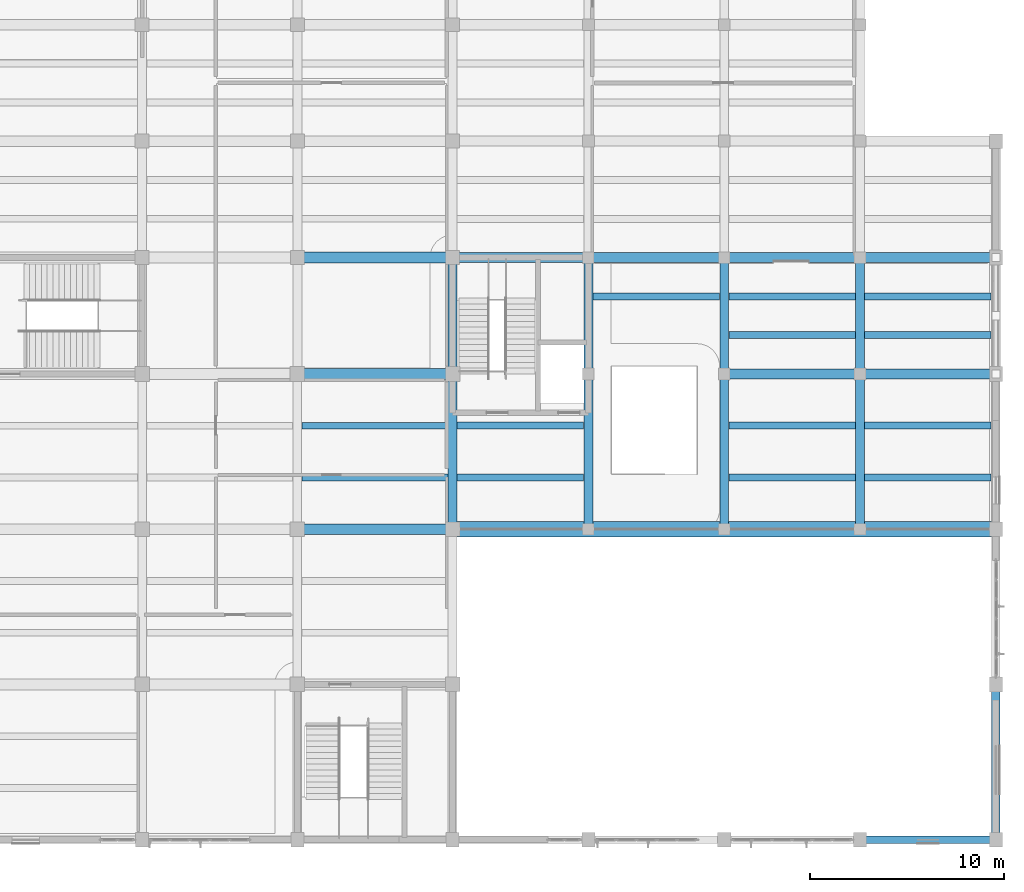
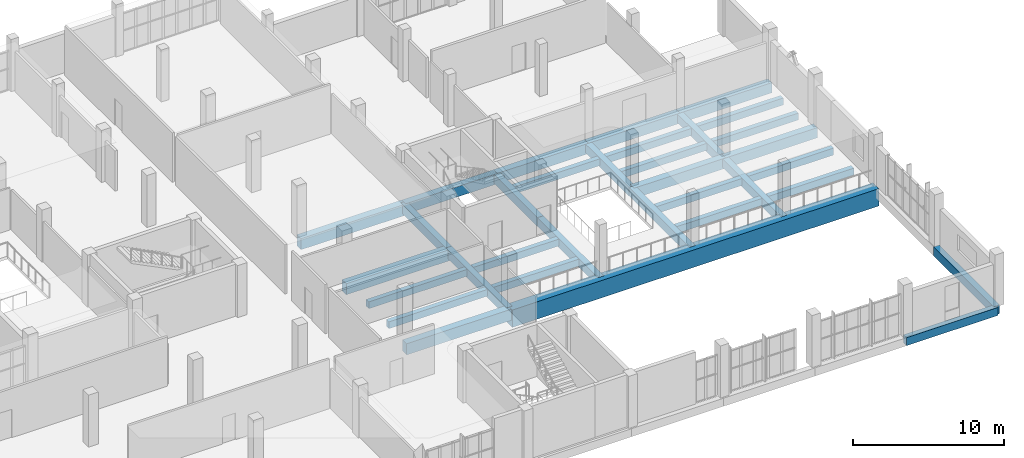
# One storey, part 28 of 85: 33 beams.
"""IFC4 building model written with IfcOpenShell, lengths in metres."""

from ifc_helpers import new_model, si_unit, direction, frame, origin, origin_2d, place, context, subcontext, project, spatial, rectangle, extrude, material, material_profile, profile_set, type_object, element, save


model = new_model("IFC4")

# Units and contexts
model_context = context("Model", 3, precision=1e-05, world=origin(), true_north=direction((0.0, 1.0)))
body_context = subcontext(model_context, "Body", "Model", "MODEL_VIEW")
ifc_project = project(units=[si_unit("LENGTHUNIT", "METRE"), si_unit("AREAUNIT", "SQUARE_METRE"), si_unit("VOLUMEUNIT", "CUBIC_METRE"), si_unit("PLANEANGLEUNIT", "RADIAN"), si_unit("MASSUNIT", "GRAM", prefix="KILO")], contexts=[model_context])

# Site, building, storey
site_placement = place(None, origin())
site = spatial("IfcSite", under=ifc_project, at=site_placement, CompositionType="ELEMENT")
building_placement = place(site_placement, origin())
building = spatial("IfcBuilding", under=site, at=building_placement, Name="Solvane Community Centre", CompositionType="ELEMENT")
storey_placement = place(building_placement, frame((0.0, 0.0, 5.39990234375)))
storey = spatial("IfcBuildingStorey", under=building, at=storey_placement, Name="L01", CompositionType="ELEMENT", Elevation=5.39990234375)

# Beams
ifc_material = material(Name="Concrete C35/45", Category="concrete")
ifc_material_profile_1 = material_profile(ifc_material, rectangle(XDim=0.4599609375, YDim=0.719970703125, at=origin_2d()), Name="RC 460x720")
ifc_profile_set_1 = profile_set([ifc_material_profile_1], Name="Concrete C35/45")
beam_type_1 = type_object("IfcBeamType", Name="RC Cloister Beam 460x720", PredefinedType="BEAM", material=ifc_profile_set_1)
for number, where, z_axis, x_axis, name in (
    (1, (140.0, 30.0, -0.599853515625), (0.0, 1.0, 0.0), (-1.0, 0.0, 0.0), "Beam BM-L01-1400_300-1400_360"),
    (2, (147.0, 30.0, -0.599853515625), (0.0, 1.0, 0.0), (-1.0, 0.0, 0.0), "Beam BM-L01-1470_300-1470_360"),
    (3, (154.0, 30.0, -0.599853515625), (0.0, 1.0, 0.0), (-1.0, 0.0, 0.0), "Beam BM-L01-1540_300-1540_360"),
    (4, (161.0, 30.0, -0.599853515625), (0.0, 1.0, 0.0), (-1.0, 0.0, 0.0), "Beam BM-L01-1610_300-1610_360"),
):
    element("IfcBeam", number, at=place(storey_placement, frame(where, z_axis=z_axis, x_axis=x_axis)), inside=storey, type_object=beam_type_1, Name=name, PredefinedType="BEAM", context=body_context, shape_type="SweptSolid", body=[
        extrude(rectangle(XDim=0.4599609375, YDim=0.719970703125, at=origin_2d()), origin(), (0.0, 0.0, 1.0), 6.0),
    ])
ifc_material_profile_2 = material_profile(ifc_material, rectangle(XDim=0.449951171875, YDim=0.699951171875, at=origin_2d()), Name="RC 450x700")
ifc_profile_set_2 = profile_set([ifc_material_profile_2], Name="Concrete C35/45")
beam_type_2 = type_object("IfcBeamType", Name="RC Floor Beam 450x700", PredefinedType="BEAM", material=ifc_profile_set_2)
for number, where, z_axis, x_axis, name in (
    (5, (140.0, 22.0, -0.58984375), (0.0, 1.0, 0.0), (-1.0, 0.0, 0.0), "Beam BM-L01-1400_220-1400_300"),
    (6, (147.0, 22.0, -0.58984375), (0.0, 1.0, 0.0), (-1.0, 0.0, 0.0), "Beam BM-L01-1470_220-1470_300"),
    (7, (154.0, 22.0, -0.58984375), (0.0, 1.0, 0.0), (-1.0, 0.0, 0.0), "Beam BM-L01-1540_220-1540_300"),
    (8, (161.0, 22.0, -0.58984375), (0.0, 1.0, 0.0), (-1.0, 0.0, 0.0), "Beam BM-L01-1610_220-1610_300"),
    (9, (168.0, 6.0, -0.58984375), (0.0, 1.0, 0.0), (-1.0, 0.0, 0.0), "Beam BM-L01-1680_60-1680_140"),
):
    element("IfcBeam", number, at=place(storey_placement, frame(where, z_axis=z_axis, x_axis=x_axis)), inside=storey, type_object=beam_type_2, Name=name, PredefinedType="BEAM", context=body_context, shape_type="SweptSolid", body=[
        extrude(rectangle(XDim=0.449951171875, YDim=0.699951171875, at=origin_2d()), origin(), (0.0, 0.0, 1.0), 8.0),
    ])
ifc_material_profile_3 = material_profile(ifc_material, rectangle(XDim=0.550048828125, YDim=0.89990234375, at=origin_2d()), Name="RC 550x900")
ifc_profile_set_3 = profile_set([ifc_material_profile_3], Name="Concrete C35/45")
beam_type_3 = type_object("IfcBeamType", Name="RC Heavy Girder 550x900", PredefinedType="USERDEFINED", material=ifc_profile_set_3)
for number, where, z_axis, x_axis, name in (
    (10, (132.0, 22.0, -0.68994140625), (1.0, 0.0, 0.0), (0.0, 1.0, 0.0), "Beam BM-L01-1320_220-1400_220"),
    (11, (132.0, 30.0, -0.68994140625), (1.0, 0.0, 0.0), (0.0, 1.0, 0.0), "Beam BM-L01-1320_300-1400_300"),
    (12, (132.0, 36.0, -0.68994140625), (1.0, 0.0, 0.0), (0.0, 1.0, 0.0), "Beam BM-L01-1320_360-1400_360"),
):
    element("IfcBeam", number, at=place(storey_placement, frame(where, z_axis=z_axis, x_axis=x_axis)), inside=storey, type_object=beam_type_3, Name=name, ObjectType="GIRDER", PredefinedType="USERDEFINED", context=body_context, shape_type="SweptSolid", body=[
        extrude(rectangle(XDim=0.550048828125, YDim=0.89990234375, at=origin_2d()), origin(), (0.0, 0.0, 1.0), 8.0),
    ])
ifc_material_profile_4 = material_profile(ifc_material, rectangle(XDim=0.52001953125, YDim=0.830078125, at=origin_2d()), Name="RC 520x830")
ifc_profile_set_4 = profile_set([ifc_material_profile_4], Name="Concrete C35/45")
beam_type_4 = type_object("IfcBeamType", Name="RC Medium Girder 520x830", PredefinedType="USERDEFINED", material=ifc_profile_set_4)
for number, where, z_axis, x_axis, name in (
    (13, (154.0, 30.0, -0.65478515625), (1.0, 0.0, 0.0), (0.0, 1.0, 0.0), "Beam BM-L01-1540_300-1610_300"),
    (14, (161.0, 30.0, -0.65478515625), (1.0, 0.0, 0.0), (0.0, 1.0, 0.0), "Beam BM-L01-1610_300-1680_300"),
    (15, (140.0, 36.0, -0.65478515625), (1.0, 0.0, 0.0), (0.0, 1.0, 0.0), "Beam BM-L01-1400_360-1470_360"),
    (16, (147.0, 36.0, -0.65478515625), (1.0, 0.0, 0.0), (0.0, 1.0, 0.0), "Beam BM-L01-1470_360-1540_360"),
    (17, (154.0, 36.0, -0.65478515625), (1.0, 0.0, 0.0), (0.0, 1.0, 0.0), "Beam BM-L01-1540_360-1610_360"),
    (18, (161.0, 36.0, -0.65478515625), (1.0, 0.0, 0.0), (0.0, 1.0, 0.0), "Beam BM-L01-1610_360-1680_360"),
):
    element("IfcBeam", number, at=place(storey_placement, frame(where, z_axis=z_axis, x_axis=x_axis)), inside=storey, type_object=beam_type_4, Name=name, ObjectType="GIRDER", PredefinedType="USERDEFINED", context=body_context, shape_type="SweptSolid", body=[
        extrude(rectangle(XDim=0.52001953125, YDim=0.830078125, at=origin_2d()), origin(), (0.0, 0.0, 1.0), 7.0),
    ])
ifc_material_profile_5 = material_profile(ifc_material, rectangle(XDim=0.35009765625, YDim=0.550048828125, at=origin_2d()), Name="RC 350x550")
ifc_profile_set_5 = profile_set([ifc_material_profile_5], Name="Concrete C35/45")
beam_type_5 = type_object("IfcBeamType", Name="RC Secondary Joist 350x550", PredefinedType="JOIST", material=ifc_profile_set_5)
for number, where, z_axis, x_axis, name in (
    (19, (132.239990234375, 24.666748046875, -0.514892578125), (1.0, 0.0, 0.0), (0.0, 1.0, 0.0), "Beam BM-L01-1322_247-1398_247"),
    (20, (132.239990234375, 27.333251953125, -0.514892578125), (1.0, 0.0, 0.0), (0.0, 1.0, 0.0), "Beam BM-L01-1322_273-1398_273"),
):
    element("IfcBeam", number, at=place(storey_placement, frame(where, z_axis=z_axis, x_axis=x_axis)), inside=storey, type_object=beam_type_5, Name=name, PredefinedType="JOIST", context=body_context, shape_type="SweptSolid", body=[
        extrude(rectangle(XDim=0.35009765625, YDim=0.550048828125, at=origin_2d()), origin(), (0.0, 0.0, 1.0), 7.52001953125),
    ])
ifc_material_profile_6 = material_profile(ifc_material, rectangle(XDim=0.39990234375, YDim=0.64990234375, at=origin_2d()), Name="RC 400x650")
ifc_profile_set_6 = profile_set([ifc_material_profile_6], Name="Concrete C35/45")
beam_type_6 = type_object("IfcBeamType", Name="RC Spandrel Edge Beam 400x650", PredefinedType="SPANDREL", material=ifc_profile_set_6)
beam_1_placement = place(storey_placement, frame((161.0, 6.0, -0.56494140625), z_axis=(1.0, 0.0, 0.0), x_axis=(0.0, 1.0, 0.0)))
element("IfcBeam", 21, at=beam_1_placement, inside=storey, type_object=beam_type_6, Name="Beam BM-L01-1610_60-1680_60", PredefinedType="SPANDREL", context=body_context, shape_type="SweptSolid", body=[
    extrude(rectangle(XDim=0.39990234375, YDim=0.64990234375, at=origin_2d()), origin(), (0.0, 0.0, 1.0), 7.0),
])
ifc_material_profile_7 = material_profile(ifc_material, rectangle(XDim=0.360107421875, YDim=0.56005859375, at=origin_2d()), Name="RC 360x560")
ifc_profile_set_7 = profile_set([ifc_material_profile_7], Name="Concrete C35/45")
beam_type_7 = type_object("IfcBeamType", Name="RC Terrace Joist 360x560", PredefinedType="JOIST", material=ifc_profile_set_7)
for number, where, z_axis, x_axis, name in (
    (22, (140.239990234375, 24.666748046875, -0.52001953125), (1.0, 0.0, 0.0), (0.0, 1.0, 0.0), "Beam BM-L01-1402_247-1468_247"),
    (23, (140.239990234375, 27.333251953125, -0.52001953125), (1.0, 0.0, 0.0), (0.0, 1.0, 0.0), "Beam BM-L01-1402_273-1468_273"),
    (24, (147.239990234375, 34.0, -0.52001953125), (1.0, 0.0, 0.0), (0.0, 1.0, 0.0), "Beam BM-L01-1472_340-1538_340"),
    (25, (154.239990234375, 24.666748046875, -0.52001953125), (1.0, 0.0, 0.0), (0.0, 1.0, 0.0), "Beam BM-L01-1542_247-1608_247"),
    (26, (154.239990234375, 27.333251953125, -0.52001953125), (1.0, 0.0, 0.0), (0.0, 1.0, 0.0), "Beam BM-L01-1542_273-1608_273"),
    (27, (154.239990234375, 32.0, -0.52001953125), (1.0, 0.0, 0.0), (0.0, 1.0, 0.0), "Beam BM-L01-1542_320-1608_320"),
    (28, (154.239990234375, 34.0, -0.52001953125), (1.0, 0.0, 0.0), (0.0, 1.0, 0.0), "Beam BM-L01-1542_340-1608_340"),
    (29, (161.239990234375, 24.666748046875, -0.52001953125), (1.0, 0.0, 0.0), (0.0, 1.0, 0.0), "Beam BM-L01-1612_247-1678_247"),
    (30, (161.239990234375, 27.333251953125, -0.52001953125), (1.0, 0.0, 0.0), (0.0, 1.0, 0.0), "Beam BM-L01-1612_273-1678_273"),
    (31, (161.239990234375, 32.0, -0.52001953125), (1.0, 0.0, 0.0), (0.0, 1.0, 0.0), "Beam BM-L01-1612_320-1678_320"),
    (32, (161.239990234375, 34.0, -0.52001953125), (1.0, 0.0, 0.0), (0.0, 1.0, 0.0), "Beam BM-L01-1612_340-1678_340"),
):
    element("IfcBeam", number, at=place(storey_placement, frame(where, z_axis=z_axis, x_axis=x_axis)), inside=storey, type_object=beam_type_7, Name=name, PredefinedType="JOIST", context=body_context, shape_type="SweptSolid", body=[
        extrude(rectangle(XDim=0.360107421875, YDim=0.56005859375, at=origin_2d()), origin(), (0.0, 0.0, 1.0), 6.52001953125),
    ])
ifc_material_profile_8 = material_profile(ifc_material, rectangle(XDim=0.800048828125, YDim=1.39990234375, at=origin_2d()), Name="RC 800x1400")
ifc_profile_set_8 = profile_set([ifc_material_profile_8], Name="Concrete C35/45")
beam_type_8 = type_object("IfcBeamType", Name="RC Transfer Girder 800x1400", PredefinedType="USERDEFINED", material=ifc_profile_set_8)
beam_2_placement = place(storey_placement, frame((140.0, 22.0, -0.93994140625), z_axis=(1.0, 0.0, 0.0), x_axis=(0.0, 1.0, 0.0)))
element("IfcBeam", 33, at=beam_2_placement, inside=storey, type_object=beam_type_8, Name="Beam BM-L01-1400_220-1680_220", ObjectType="GIRDER", PredefinedType="USERDEFINED", context=body_context, shape_type="SweptSolid", body=[
    extrude(rectangle(XDim=0.800048828125, YDim=1.39990234375, at=origin_2d()), origin(), (0.0, 0.0, 1.0), 28.0),
])

save(model, "model.ifc")
